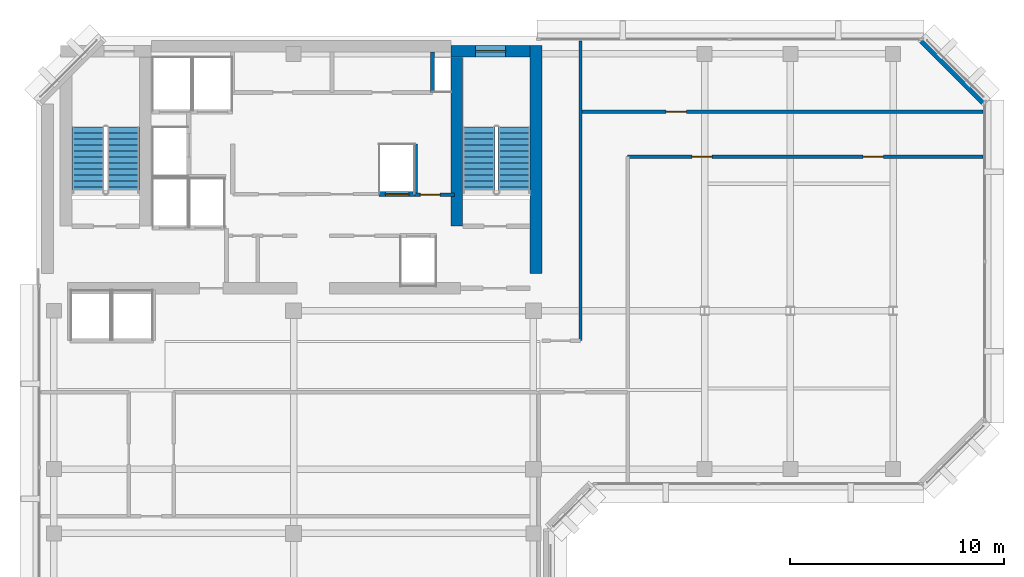
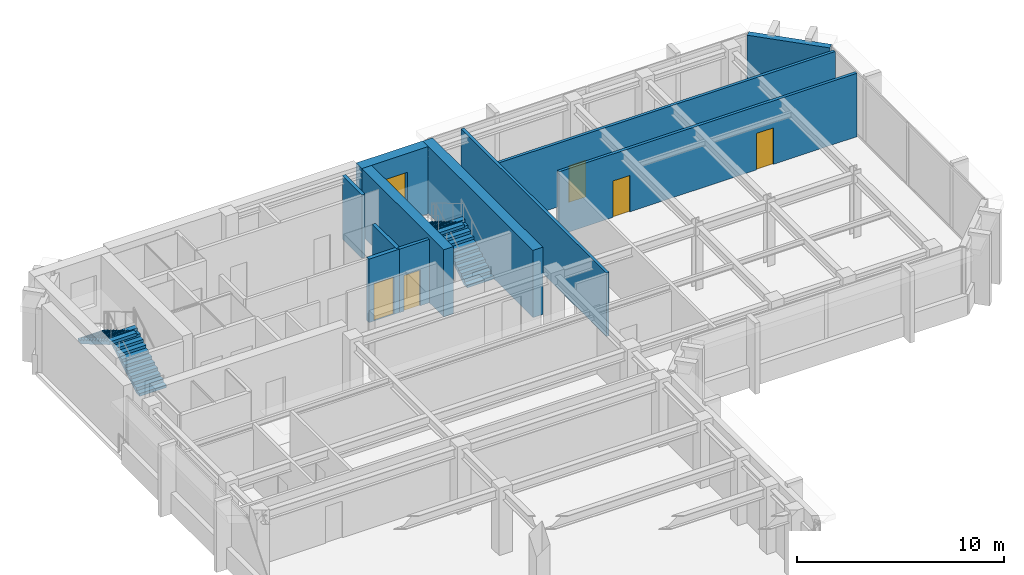
# One storey, part 8 of 12: 11 walls, 5 doors, 4 stair flights, 1 window, 6 openings, 2 elements without a shape of their own.
"""IFC4 building model written with IfcOpenShell, lengths in metres."""

from ifc_helpers import new_model, si_unit, direction, frame, frame_2d, origin, place, context, subcontext, project, spatial, polyline, rectangle, outline, extrude, material, layer, layer_set, type_object, element, fill, aggregate, save


model = new_model("IFC4")

# Units and contexts
model_context = context("Model", 3, precision=1e-05, world=origin(), true_north=direction((0.0, 1.0)))
body_context = subcontext(model_context, "Body", "Model", "MODEL_VIEW")
ifc_project = project(units=[si_unit("LENGTHUNIT", "METRE"), si_unit("AREAUNIT", "SQUARE_METRE"), si_unit("VOLUMEUNIT", "CUBIC_METRE"), si_unit("PLANEANGLEUNIT", "RADIAN"), si_unit("MASSUNIT", "GRAM", prefix="KILO")], contexts=[model_context])

# Site, building, storey
site_placement = place(None, origin())
site = spatial("IfcSite", under=ifc_project, at=site_placement, CompositionType="ELEMENT")
building_placement = place(site_placement, origin())
building = spatial("IfcBuilding", under=site, at=building_placement, Name="Kefirva Bronze Tower", CompositionType="ELEMENT")
storey_placement = place(building_placement, frame((0.0, 0.0, 339.570068359375)))
storey = spatial("IfcBuildingStorey", under=building, at=storey_placement, Name="L83", CompositionType="ELEMENT", Elevation=339.570068359375)

# Wall
ifc_material_1 = material(Name="Gypsum fireboard shaftwall")
ifc_layer_1 = layer(ifc_material_1, 0.219970703125, Name="Gypsum fireboard shaftwall")
ifc_layer_set_1 = layer_set([ifc_layer_1], Name="Gypsum fireboard shaftwall")
wall_type_1 = type_object("IfcWallType", Name="Fire-Rated Shaft Enclosure Wall 220mm", PredefinedType="PARTITIONING", material=ifc_layer_set_1)
wall_1_placement = place(storey_placement, frame((17.679931640625, 38.64990234375, 0.0), z_axis=(0.0, 0.0, 1.0), x_axis=(0.0, 1.0, 0.0)))
element("IfcWall", 1, at=wall_1_placement, inside=storey, type_object=wall_type_1, Name="L83 Partition W-L83-HP2E", PredefinedType="PARTITIONING", context=body_context, shape_type="SweptSolid", body=[
    extrude(rectangle(XDim=2.35009765625, YDim=0.199951171875, at=frame_2d((1.175048828125, 0.0))), origin(), (0.0, 0.0, 1.0), 3.739990234375),
])

# Wall, opening, door
wall_2_placement = place(storey_placement, frame((15.97998046875, 38.64990234375, 0.0), z_axis=(0.0, 0.0, 1.0), x_axis=(1.0, 0.0, 0.0)))
wall_2 = element("IfcWall", 2, at=wall_2_placement, inside=storey, type_object=wall_type_1, Name="L83 Partition W-L83-HPN", PredefinedType="PARTITIONING", context=body_context, shape_type="SweptSolid", body=[
    extrude(rectangle(XDim=1.719970703125, YDim=0.219970703125, at=frame_2d((0.85986328125, 0.0))), origin(), (0.0, 0.0, 1.0), 3.739990234375),
])
opening_1_placement = place(wall_2_placement, frame((0.300048828125, 0.0, 0.0)))
opening_1 = element("IfcOpeningElement", 3, at=opening_1_placement, cuts=wall_2, Name="Opening L83-LD-HP2", PredefinedType="OPENING", context=body_context, shape_type="SweptSolid", body=[
    extrude(rectangle(XDim=1.10009765625, YDim=2.199951171875, at=frame_2d((0.550048828125, 1.10009765625))), frame((0.0, 0.1201171875, 0.0), z_axis=(0.0, -1.0, 0.0), x_axis=(1.0, 0.0, 0.0)), (0.0, 0.0, 1.0), 0.239990234375),
])
ifc_material_2 = material(Name="Stainless steel 316", Category="steel")
door_type_1 = type_object("IfcDoorType", Name="Passenger Lift Sliding Landing Door 1100x2200", OperationType="SLIDING_TO_LEFT", PredefinedType="DOOR", material=ifc_material_2)
door_1_placement = place(opening_1_placement, origin())
door_1 = element("IfcDoor", 4, at=door_1_placement, inside=storey, type_object=door_type_1, Name="Door L83-LD-HP2", OperationType="SLIDING_TO_LEFT", OverallHeight=2.199951171875, OverallWidth=1.10009765625, PredefinedType="DOOR", context=body_context, shape_type="SweptSolid", body=[
    extrude(rectangle(XDim=1.10009765625, YDim=2.199951171875, at=frame_2d((0.550048828125, 1.10009765625))), frame((0.0, 0.02490234375, 0.0), z_axis=(0.0, -1.0, 0.0), x_axis=(1.0, 0.0, 0.0)), (0.0, 0.0, 1.0), 0.050048828125),
])
fill(opening_1, door_1)

ifc_material_3 = material(Name="Gypsum fireboard barrier")
ifc_layer_2 = layer(ifc_material_3, 0.199951171875, Name="Gypsum fireboard barrier")
ifc_layer_set_2 = layer_set([ifc_layer_2], Name="Gypsum fireboard barrier")
wall_type_2 = type_object("IfcWallType", Name="Firefighting Lobby Barrier Wall 200mm", PredefinedType="PARTITIONING", material=ifc_layer_set_2)
wall_3_placement = place(storey_placement, frame((17.679931640625, 38.6201171875, 0.0), z_axis=(0.0, 0.0, 1.0), x_axis=(1.0, 0.0, 0.0)))
wall_3 = element("IfcWall", 5, at=wall_3_placement, inside=storey, type_object=wall_type_2, Name="L83 Partition W-L83-CPASS", PredefinedType="PARTITIONING", context=body_context, shape_type="SweptSolid", body=[
    extrude(rectangle(XDim=1.840087890625, YDim=0.179931640625, at=frame_2d((0.919921875, 0.0))), origin(), (0.0, 0.0, 1.0), 3.739990234375),
])
opening_2_placement = place(wall_3_placement, frame((0.239990234375, 0.0, 0.0)))
opening_2 = element("IfcOpeningElement", 6, at=opening_2_placement, cuts=wall_3, Name="Opening L83-D-CPAS", PredefinedType="OPENING", context=body_context, shape_type="SweptSolid", body=[
    extrude(rectangle(XDim=0.919921875, YDim=2.10009765625, at=frame_2d((0.4599609375, 1.050048828125))), frame((0.0, 0.10009765625, 0.0), z_axis=(0.0, -1.0, 0.0), x_axis=(1.0, 0.0, 0.0)), (0.0, 0.0, 1.0), 0.199951171875),
])
ifc_material_4 = material(Name="Moisture-resistant timber", Category="wood")
door_type_2 = type_object("IfcDoorType", Name="Accessible Sanitary & WC Door 920x2100", OperationType="NOTDEFINED", PredefinedType="DOOR", material=ifc_material_4)
door_2_placement = place(opening_2_placement, origin())
door_2 = element("IfcDoor", 7, at=door_2_placement, inside=storey, type_object=door_type_2, Name="Door L83-D-CPAS", OperationType="SINGLE_SWING_LEFT", OverallHeight=2.10009765625, OverallWidth=0.919921875, PredefinedType="DOOR", context=body_context, shape_type="SweptSolid", body=[
    extrude(rectangle(XDim=0.919921875, YDim=2.10009765625, at=frame_2d((0.4599609375, 1.050048828125))), frame((0.0, 0.02490234375, 0.0), z_axis=(0.0, -1.0, 0.0), x_axis=(1.0, 0.0, 0.0)), (0.0, 0.0, 1.0), 0.050048828125),
])
fill(opening_2, door_2)

# Walls
ifc_material_5 = material(Name="Precast concrete C40/50", Category="concrete")
ifc_layer_3 = layer(ifc_material_5, 0.320068359375, Name="Precast concrete C40/50")
ifc_layer_set_3 = layer_set([ifc_layer_3], Name="Precast concrete C40/50")
wall_type_3 = type_object("IfcWallType", Name="Precast Insulated Exterior Wall 320mm", PredefinedType="SOLIDWALL", material=ifc_layer_set_3)
wall_4_placement = place(storey_placement, frame((44.248046875, 42.92578125, 0.0), z_axis=(0.0, 0.0, 1.0), x_axis=(-0.707136318428, 0.707077242712, 0.0)))
element("IfcWall", 8, at=wall_4_placement, inside=storey, type_object=wall_type_3, Name="L83 Exterior Facade Wall 8", PredefinedType="SOLIDWALL", context=body_context, shape_type="SweptSolid", body=[
    extrude(rectangle(XDim=4.132568359375, YDim=0.320068359375, at=frame_2d((2.06640625, 0.0))), origin(), (0.0, 0.0, 1.0), 3.739990234375),
])
ifc_material_6 = material(Name="Gypsum acoustic partition")
ifc_layer_4 = layer(ifc_material_6, 0.159912109375, Name="Gypsum acoustic partition")
ifc_layer_set_4 = layer_set([ifc_layer_4], Name="Gypsum acoustic partition")
wall_type_4 = type_object("IfcWallType", Name="Protected Corridor Partition 160mm", PredefinedType="PARTITIONING", material=ifc_layer_set_4)
wall_5_placement = place(storey_placement, frame((25.39990234375, 31.800048828125, 0.0), z_axis=(0.0, 0.0, 1.0), x_axis=(0.0, 1.0, 0.0)))
element("IfcWall", 9, at=wall_5_placement, inside=storey, type_object=wall_type_4, Name="L83 Partition W-L83-E31W", PredefinedType="PARTITIONING", context=body_context, shape_type="SweptSolid", body=[
    extrude(rectangle(XDim=14.010009765625, YDim=0.159912109375, at=frame_2d((7.0048828125, 0.0))), origin(), (0.0, 0.0, 1.0), 3.739990234375),
])

# Wall, openings, doors
wall_6_placement = place(storey_placement, frame((27.60009765625, 40.39990234375, 0.0), z_axis=(0.0, 0.0, 1.0), x_axis=(1.0, 0.0, 0.0)))
wall_6 = element("IfcWall", 10, at=wall_6_placement, inside=storey, type_object=wall_type_4, Name="L83 Partition W-L83-E31S", PredefinedType="PARTITIONING", context=body_context, shape_type="SweptSolid", body=[
    extrude(rectangle(XDim=16.60986328125, YDim=0.159912109375, at=frame_2d((8.304931640625, 0.0))), origin(), (0.0, 0.0, 1.0), 3.739990234375),
])
opening_3_placement = place(wall_6_placement, frame((3.949951171875, 0.0, 0.0), z_axis=(0.0, 0.0, 1.0), x_axis=(-1.0, 0.0, 0.0)))
opening_3 = element("IfcOpeningElement", 11, at=opening_3_placement, cuts=wall_6, Name="Opening L83-D-E31BIG1", PredefinedType="OPENING", context=body_context, shape_type="SweptSolid", body=[
    extrude(rectangle(XDim=0.949951171875, YDim=2.14990234375, at=frame_2d((0.47509765625, 1.074951171875))), frame((0.0, 0.08984375, 0.0), z_axis=(0.0, -1.0, 0.0), x_axis=(1.0, 0.0, 0.0)), (0.0, 0.0, 1.0), 0.179931640625),
])
opening_4_placement = place(wall_6_placement, frame((11.949951171875, 0.0, 0.0), z_axis=(0.0, 0.0, 1.0), x_axis=(-1.0, 0.0, 0.0)))
opening_4 = element("IfcOpeningElement", 12, at=opening_4_placement, cuts=wall_6, Name="Opening L83-D-E31BIG2", PredefinedType="OPENING", context=body_context, shape_type="SweptSolid", body=[
    extrude(rectangle(XDim=0.949951171875, YDim=2.14990234375, at=frame_2d((0.47509765625, 1.074951171875))), frame((0.0, 0.08984375, 0.0), z_axis=(0.0, -1.0, 0.0), x_axis=(1.0, 0.0, 0.0)), (0.0, 0.0, 1.0), 0.179931640625),
])
ifc_material_7 = material(Name="Acoustic hardwood oak", Category="wood")
door_type_3 = type_object("IfcDoorType", Name="Office & Meeting Room Door 950x2150", OperationType="NOTDEFINED", PredefinedType="DOOR", material=ifc_material_7)
door_3_placement = place(opening_3_placement, origin())
door_3 = element("IfcDoor", 13, at=door_3_placement, inside=storey, type_object=door_type_3, Name="Door L83-D-E31BIG1", OperationType="SINGLE_SWING_RIGHT", OverallHeight=2.14990234375, OverallWidth=0.949951171875, PredefinedType="DOOR", context=body_context, shape_type="SweptSolid", body=[
    extrude(rectangle(XDim=0.949951171875, YDim=2.14990234375, at=frame_2d((0.47509765625, 1.074951171875))), frame((0.0, 0.02490234375, 0.0), z_axis=(0.0, -1.0, 0.0), x_axis=(1.0, 0.0, 0.0)), (0.0, 0.0, 1.0), 0.050048828125),
])
fill(opening_3, door_3)
door_4_placement = place(opening_4_placement, origin())
door_4 = element("IfcDoor", 14, at=door_4_placement, inside=storey, type_object=door_type_3, Name="Door L83-D-E31BIG2", OperationType="SINGLE_SWING_LEFT", OverallHeight=2.14990234375, OverallWidth=0.949951171875, PredefinedType="DOOR", context=body_context, shape_type="SweptSolid", body=[
    extrude(rectangle(XDim=0.949951171875, YDim=2.14990234375, at=frame_2d((0.47509765625, 1.074951171875))), frame((0.0, 0.02490234375, 0.0), z_axis=(0.0, -1.0, 0.0), x_axis=(1.0, 0.0, 0.0)), (0.0, 0.0, 1.0), 0.050048828125),
])
fill(opening_4, door_4)

# Wall, opening, door
wall_7_placement = place(storey_placement, frame((25.39990234375, 42.5, 0.0), z_axis=(0.0, 0.0, 1.0), x_axis=(1.0, 0.0, 0.0)))
wall_7 = element("IfcWall", 15, at=wall_7_placement, inside=storey, type_object=wall_type_4, Name="L83 Partition W-L83-E31N", PredefinedType="PARTITIONING", context=body_context, shape_type="SweptSolid", body=[
    extrude(rectangle(XDim=18.81005859375, YDim=0.159912109375, at=frame_2d((9.405029296875, 0.0))), origin(), (0.0, 0.0, 1.0), 3.739990234375),
])
opening_5_placement = place(wall_7_placement, frame((4.0, 0.0, 0.0)))
opening_5 = element("IfcOpeningElement", 16, at=opening_5_placement, cuts=wall_7, Name="Opening L83-D-E31N1", PredefinedType="OPENING", context=body_context, shape_type="SweptSolid", body=[
    extrude(rectangle(XDim=0.949951171875, YDim=2.14990234375, at=frame_2d((0.47509765625, 1.074951171875))), frame((0.0, 0.08984375, 0.0), z_axis=(0.0, -1.0, 0.0), x_axis=(1.0, 0.0, 0.0)), (0.0, 0.0, 1.0), 0.179931640625),
])
door_5_placement = place(opening_5_placement, origin())
door_5 = element("IfcDoor", 17, at=door_5_placement, inside=storey, type_object=door_type_3, Name="Door L83-D-E31N1", OperationType="SINGLE_SWING_RIGHT", OverallHeight=2.14990234375, OverallWidth=0.949951171875, PredefinedType="DOOR", context=body_context, shape_type="SweptSolid", body=[
    extrude(rectangle(XDim=0.949951171875, YDim=2.14990234375, at=frame_2d((0.47509765625, 1.074951171875))), frame((0.0, 0.02490234375, 0.0), z_axis=(0.0, -1.0, 0.0), x_axis=(1.0, 0.0, 0.0)), (0.0, 0.0, 1.0), 0.050048828125),
])
fill(opening_5, door_5)

# Wall, opening, window
ifc_material_8 = material(Name="Concrete C50/60", Category="concrete")
ifc_layer_5 = layer(ifc_material_8, 0.550048828125, Name="Concrete C50/60")
ifc_layer_set_5 = layer_set([ifc_layer_5], Name="Concrete C50/60")
wall_type_5 = type_object("IfcWallType", Name="RC Rear Core Exterior Wall 550mm", PredefinedType="SHEAR", material=ifc_layer_set_5)
wall_8_placement = place(storey_placement, frame((19.35009765625, 45.320068359375, 0.0), z_axis=(0.0, 0.0, 1.0), x_axis=(1.0, 0.0, 0.0)))
wall_8 = element("IfcWall", 18, at=wall_8_placement, inside=storey, type_object=wall_type_5, Name="L83 Stair 2 North Shear Wall", PredefinedType="SHEAR", context=body_context, shape_type="SweptSolid", body=[
    extrude(rectangle(XDim=3.68994140625, YDim=0.550048828125, at=frame_2d((1.844970703125, 0.0))), origin(), (0.0, 0.0, 1.0), 3.9599609375),
])
opening_6_placement = place(wall_8_placement, frame((1.14990234375, 0.0, 1.050048828125)))
opening_6 = element("IfcOpeningElement", 19, at=opening_6_placement, cuts=wall_8, Name="Opening WN-03", PredefinedType="OPENING", context=body_context, shape_type="SweptSolid", body=[
    extrude(rectangle(XDim=1.39990234375, YDim=1.800048828125, at=frame_2d((0.699951171875, 0.89990234375))), frame((0.0, 0.28515625, 0.0), z_axis=(0.0, -1.0, 0.0), x_axis=(1.0, 0.0, 0.0)), (0.0, 0.0, 1.0), 0.570068359375),
])
ifc_material_9 = material(Name="Laminated low-E double glazing", Category="glass")
window_type = type_object("IfcWindowType", Name="Rear-Core Stair Daylight Window 1400x1800", PartitioningType="SINGLE_PANEL", PredefinedType="WINDOW", material=ifc_material_9)
window_placement = place(opening_6_placement, origin())
window = element("IfcWindow", 20, at=window_placement, inside=storey, type_object=window_type, Name="L83 Stair 2 Daylight Window", OverallHeight=1.800048828125, OverallWidth=1.39990234375, PartitioningType="SINGLE_PANEL", PredefinedType="WINDOW", context=body_context, shape_type="SweptSolid", body=[
    extrude(rectangle(XDim=1.39990234375, YDim=1.800048828125, at=frame_2d((0.699951171875, 0.89990234375))), frame((0.0, 0.030029296875, 0.0), z_axis=(0.0, -1.0, 0.0), x_axis=(1.0, 0.0, 0.0)), (0.0, 0.0, 1.0), 0.06005859375),
])
fill(opening_6, window)

# Walls
ifc_layer_6 = layer(ifc_material_8, 0.550048828125, Name="Concrete C50/60")
ifc_layer_set_6 = layer_set([ifc_layer_6], Name="Concrete C50/60")
wall_type_6 = type_object("IfcWallType", Name="RC Rear Core Interior Wall 550mm", PredefinedType="SHEAR", material=ifc_layer_set_6)
wall_9_placement = place(storey_placement, frame((23.324951171875, 34.949951171875, 0.0), z_axis=(0.0, 0.0, 1.0), x_axis=(0.0, 1.0, 0.0)))
element("IfcWall", 21, at=wall_9_placement, inside=storey, type_object=wall_type_6, Name="L83 Rear Core East Shear Wall", PredefinedType="SHEAR", context=body_context, shape_type="SweptSolid", body=[
    extrude(rectangle(XDim=10.64013671875, YDim=0.550048828125, at=frame_2d((5.320068359375, 0.0))), origin(), (0.0, 0.0, 1.0), 3.9599609375),
])
wall_10_placement = place(storey_placement, frame((19.6201171875, 37.14990234375, 0.0), z_axis=(0.0, 0.0, 1.0), x_axis=(0.0, 1.0, 0.0)))
element("IfcWall", 22, at=wall_10_placement, inside=storey, type_object=wall_type_6, Name="L83 Stair 2 West Shear Wall", PredefinedType="SHEAR", context=body_context, shape_type="SweptSolid", body=[
    extrude(rectangle(XDim=7.89013671875, YDim=0.550048828125, at=frame_2d((3.945068359375, 0.0))), origin(), (0.0, 0.0, 1.0), 3.9599609375),
])
ifc_material_10 = material(Name="Moisture-resistant partition")
ifc_layer_7 = layer(ifc_material_10, 0.179931640625, Name="Moisture-resistant partition")
ifc_layer_set_7 = layer_set([ifc_layer_7], Name="Moisture-resistant partition")
wall_type_7 = type_object("IfcWallType", Name="Sanitary Plumbing Chase Wall 180mm", PredefinedType="PLUMBINGWALL", material=ifc_layer_set_7)
wall_11_placement = place(storey_placement, frame((18.47998046875, 43.39990234375, 0.0), z_axis=(0.0, 0.0, 1.0), x_axis=(0.0, 1.0, 0.0)))
element("IfcWall", 23, at=wall_11_placement, inside=storey, type_object=wall_type_7, Name="L83 Partition W-L83-SVCE", PredefinedType="PLUMBINGWALL", context=body_context, shape_type="SweptSolid", body=[
    extrude(rectangle(XDim=1.880126953125, YDim=0.179931640625, at=frame_2d((0.93994140625, 0.0))), origin(), (0.0, 0.0, 1.0), 3.739990234375),
])

# Stair, stair flights
ifc_material_11 = material(Name="Concrete C40/50", Category="concrete")
stair_type = type_object("IfcStairType", Name="RC Dogleg Protected Stair 24R", PredefinedType="HALF_TURN_STAIR", material=ifc_material_11)
stair_1_placement = place(storey_placement, origin())
stair_1 = element("IfcStair", 24, at=stair_1_placement, inside=storey, type_object=stair_type, Name="L83 Protected Exit Stair 1", PredefinedType="HALF_TURN_STAIR")
stair_flight_type = type_object("IfcStairFlightType", Name="RC Straight Stair Flight 24R", PredefinedType="STRAIGHT", material=ifc_material_11)
stair_flight_1_placement = place(storey_placement, frame((4.050048828125, 38.699951171875, 0.0), z_axis=(0.0, 0.0, 1.0), x_axis=(0.0, 1.0, 0.0)))
stair_flight_1 = element("IfcStairFlight", 25, at=stair_flight_1_placement, type_object=stair_flight_type, Name="ST-1 flight 1", NumberOfRisers=12, NumberOfTreads=11, PredefinedType="STRAIGHT", RiserHeight=0.165, TreadLength=0.28, context=body_context, shape_type="SweptSolid", body=[
    extrude(outline(polyline([(0.0, 0.0), (0.0, 0.1650390625), (0.280029296875, 0.1650390625), (0.280029296875, 0.330078125), (0.56005859375, 0.330078125), (0.56005859375, 0.4951171875), (0.840087890625, 0.4951171875), (0.840087890625, 0.659912109375), (1.1201171875, 0.659912109375), (1.1201171875, 0.824951171875), (1.39990234375, 0.824951171875), (1.39990234375, 0.989990234375), (1.679931640625, 0.989990234375), (1.679931640625, 1.155029296875), (1.9599609375, 1.155029296875), (1.9599609375, 1.320068359375), (2.239990234375, 1.320068359375), (2.239990234375, 1.485107421875), (2.52001953125, 1.485107421875), (2.52001953125, 1.64990234375), (2.800048828125, 1.64990234375), (2.800048828125, 1.81494140625), (3.080078125, 1.81494140625), (3.080078125, 1.97998046875), (3.080078125, 1.64111328125), (0.295166015625, 0.0), (0.0, 0.0)])), frame((0.0, 0.75, 0.0), z_axis=(0.0, -1.0, 0.0), x_axis=(1.0, 0.0, 0.0)), (0.0, 0.0, 1.0), 1.5),
])
stair_flight_2_placement = place(storey_placement, frame((2.39990234375, 41.780029296875, 1.97998046875), z_axis=(0.0, 0.0, 1.0), x_axis=(0.0, -1.0, 0.0)))
stair_flight_2 = element("IfcStairFlight", 26, at=stair_flight_2_placement, type_object=stair_flight_type, Name="ST-1 flight 2", NumberOfRisers=12, NumberOfTreads=11, PredefinedType="STRAIGHT", RiserHeight=0.165, TreadLength=0.28, context=body_context, shape_type="SweptSolid", body=[
    extrude(outline(polyline([(0.0, 0.0), (0.0, 0.1650390625), (0.280029296875, 0.1650390625), (0.280029296875, 0.330078125), (0.56005859375, 0.330078125), (0.56005859375, 0.4951171875), (0.840087890625, 0.4951171875), (0.840087890625, 0.659912109375), (1.1201171875, 0.659912109375), (1.1201171875, 0.824951171875), (1.39990234375, 0.824951171875), (1.39990234375, 0.989990234375), (1.679931640625, 0.989990234375), (1.679931640625, 1.155029296875), (1.9599609375, 1.155029296875), (1.9599609375, 1.320068359375), (2.239990234375, 1.320068359375), (2.239990234375, 1.485107421875), (2.52001953125, 1.485107421875), (2.52001953125, 1.64990234375), (2.800048828125, 1.64990234375), (2.800048828125, 1.81494140625), (3.080078125, 1.81494140625), (3.080078125, 1.97998046875), (3.080078125, 1.64111328125), (0.295166015625, 0.0), (0.0, 0.0)])), frame((0.0, 0.75, 0.0), z_axis=(0.0, -1.0, 0.0), x_axis=(1.0, 0.0, 0.0)), (0.0, 0.0, 1.0), 1.5),
])
aggregate(stair_1, [stair_flight_1, stair_flight_2])

stair_2_placement = place(storey_placement, origin())
stair_2 = element("IfcStair", 27, at=stair_2_placement, inside=storey, type_object=stair_type, Name="L83 Protected Exit Stair 2", PredefinedType="HALF_TURN_STAIR")
stair_flight_3_placement = place(storey_placement, frame((22.300048828125, 38.699951171875, 0.0), z_axis=(0.0, 0.0, 1.0), x_axis=(0.0, 1.0, 0.0)))
stair_flight_3 = element("IfcStairFlight", 28, at=stair_flight_3_placement, type_object=stair_flight_type, Name="ST-2 flight 1", NumberOfRisers=12, NumberOfTreads=11, PredefinedType="STRAIGHT", RiserHeight=0.165, TreadLength=0.28, context=body_context, shape_type="SweptSolid", body=[
    extrude(outline(polyline([(0.0, 0.0), (0.0, 0.1650390625), (0.280029296875, 0.1650390625), (0.280029296875, 0.330078125), (0.56005859375, 0.330078125), (0.56005859375, 0.4951171875), (0.840087890625, 0.4951171875), (0.840087890625, 0.659912109375), (1.1201171875, 0.659912109375), (1.1201171875, 0.824951171875), (1.39990234375, 0.824951171875), (1.39990234375, 0.989990234375), (1.679931640625, 0.989990234375), (1.679931640625, 1.155029296875), (1.9599609375, 1.155029296875), (1.9599609375, 1.320068359375), (2.239990234375, 1.320068359375), (2.239990234375, 1.485107421875), (2.52001953125, 1.485107421875), (2.52001953125, 1.64990234375), (2.800048828125, 1.64990234375), (2.800048828125, 1.81494140625), (3.080078125, 1.81494140625), (3.080078125, 1.97998046875), (3.080078125, 1.64111328125), (0.295166015625, 0.0), (0.0, 0.0)])), frame((0.0, 0.75, 0.0), z_axis=(0.0, -1.0, 0.0), x_axis=(1.0, 0.0, 0.0)), (0.0, 0.0, 1.0), 1.5),
])
stair_flight_4_placement = place(storey_placement, frame((20.64990234375, 41.780029296875, 1.97998046875), z_axis=(0.0, 0.0, 1.0), x_axis=(0.0, -1.0, 0.0)))
stair_flight_4 = element("IfcStairFlight", 29, at=stair_flight_4_placement, type_object=stair_flight_type, Name="ST-2 flight 2", NumberOfRisers=12, NumberOfTreads=11, PredefinedType="STRAIGHT", RiserHeight=0.165, TreadLength=0.28, context=body_context, shape_type="SweptSolid", body=[
    extrude(outline(polyline([(0.0, 0.0), (0.0, 0.1650390625), (0.280029296875, 0.1650390625), (0.280029296875, 0.330078125), (0.56005859375, 0.330078125), (0.56005859375, 0.4951171875), (0.840087890625, 0.4951171875), (0.840087890625, 0.659912109375), (1.1201171875, 0.659912109375), (1.1201171875, 0.824951171875), (1.39990234375, 0.824951171875), (1.39990234375, 0.989990234375), (1.679931640625, 0.989990234375), (1.679931640625, 1.155029296875), (1.9599609375, 1.155029296875), (1.9599609375, 1.320068359375), (2.239990234375, 1.320068359375), (2.239990234375, 1.485107421875), (2.52001953125, 1.485107421875), (2.52001953125, 1.64990234375), (2.800048828125, 1.64990234375), (2.800048828125, 1.81494140625), (3.080078125, 1.81494140625), (3.080078125, 1.97998046875), (3.080078125, 1.64111328125), (0.295166015625, 0.0), (0.0, 0.0)])), frame((0.0, 0.75, 0.0), z_axis=(0.0, -1.0, 0.0), x_axis=(1.0, 0.0, 0.0)), (0.0, 0.0, 1.0), 1.5),
])
aggregate(stair_2, [stair_flight_3, stair_flight_4])

save(model, "model.ifc")
